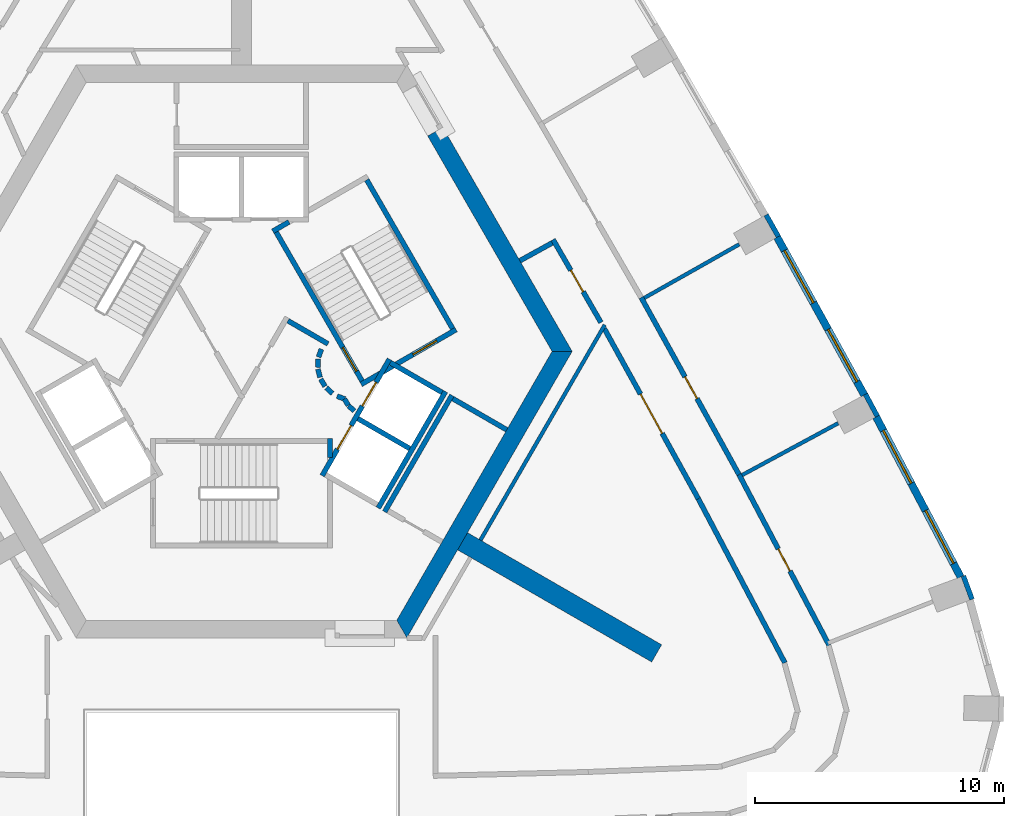
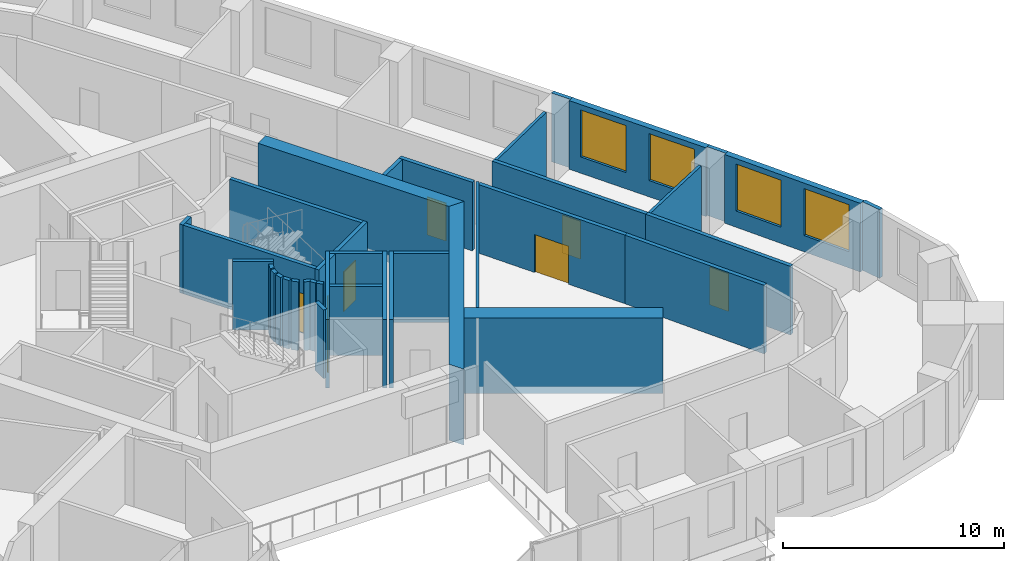
# One storey, part 7 of 11: 37 walls, 8 doors, 4 windows, 12 openings.
"""IFC4 building model written with IfcOpenShell, lengths in metres."""

from ifc_helpers import new_model, si_unit, direction, frame, frame_2d, origin, place, context, subcontext, project, spatial, polyline, rectangle, outline, extrude, material, layer, layer_set, type_object, element, fill, save


model = new_model("IFC4")

# Units and contexts
model_context = context("Model", 3, precision=1e-05, world=origin(), true_north=direction((0.0, 1.0)))
body_context = subcontext(model_context, "Body", "Model", "MODEL_VIEW")
ifc_project = project(units=[si_unit("LENGTHUNIT", "METRE"), si_unit("AREAUNIT", "SQUARE_METRE"), si_unit("VOLUMEUNIT", "CUBIC_METRE"), si_unit("PLANEANGLEUNIT", "RADIAN"), si_unit("MASSUNIT", "GRAM", prefix="KILO")], contexts=[model_context])

# Site, building, storey
site_placement = place(None, origin())
site = spatial("IfcSite", under=ifc_project, at=site_placement, CompositionType="ELEMENT")
building_placement = place(site_placement, origin())
building = spatial("IfcBuilding", under=site, at=building_placement, Name="Entoto Arch Interchange Tower", CompositionType="ELEMENT")
storey_placement = place(building_placement, frame((0.0, 0.0, 206.60009765625)))
storey = spatial("IfcBuildingStorey", under=building, at=storey_placement, Name="L46", CompositionType="ELEMENT", Elevation=206.60009765625)

# Walls
ifc_material_1 = material(Name="Concrete C50/60", Category="concrete")
ifc_layer_1 = layer(ifc_material_1, 0.800048828125)
ifc_layer_set_1 = layer_set([ifc_layer_1], Name="Concrete C50/60")
wall_type_1 = type_object("IfcWallType", Name="Buttress wall 800 C50/60", PredefinedType="SHEAR", material=ifc_layer_set_1)
wall_1_placement = place(storey_placement, frame((8.876953125, -5.125, -0.400146484375), z_axis=(0.0, 0.0, 1.0), x_axis=(0.866017533419, -0.500013631625, 0.0)))
element("IfcWall", 1, at=wall_1_placement, inside=storey, type_object=wall_type_1, Name="Buttress wall SE L46", PredefinedType="SHEAR", context=body_context, shape_type="SweptSolid", body=[
    extrude(rectangle(XDim=8.999755859375, YDim=0.800048828125, at=frame_2d((4.5, 0.0))), origin(), (0.0, 0.0, 1.0), 4.199951171875),
])
ifc_layer_2 = layer(ifc_material_1, 0.699951171875)
ifc_layer_set_2 = layer_set([ifc_layer_2], Name="Concrete C50/60")
wall_type_2 = type_object("IfcWallType", Name="Core wall 700 C50/60", PredefinedType="SHEAR", material=ifc_layer_set_2)
wall_2_placement = place(storey_placement, frame((0.0, 0.0, -0.400146484375)))
element("IfcWall", 2, at=wall_2_placement, inside=storey, type_object=wall_type_2, Name="Core wall NE L46", PredefinedType="SHEAR", context=body_context, shape_type="SweptSolid", body=[
    extrude(outline(polyline([(8.083984375, 11.498046875), (7.47802734375, 11.14794921875), (12.470947265625, 2.5), (13.279052734375, 2.5), (8.083984375, 11.498046875)])), origin(), (0.0, 0.0, 1.0), 4.199951171875),
])
wall_3_placement = place(storey_placement, frame((0.0, 0.0, -0.400146484375)))
element("IfcWall", 3, at=wall_3_placement, inside=storey, type_object=wall_type_2, Name="Core wall SE L46", PredefinedType="SHEAR", context=body_context, shape_type="SweptSolid", body=[
    extrude(outline(polyline([(6.639892578125, -9.0), (13.279052734375, 2.5), (12.470947265625, 2.5), (6.235107421875, -8.300048828125), (6.639892578125, -9.0)])), origin(), (0.0, 0.0, 1.0), 4.199951171875),
])

# Wall, openings, doors
ifc_material_2 = material(Name="Concrete C40/50", Category="concrete")
ifc_layer_3 = layer(ifc_material_2, 0.199951171875)
ifc_layer_set_3 = layer_set([ifc_layer_3], Name="Concrete C40/50")
wall_type_3 = type_object("IfcWallType", Name="LIFT SHAFT WALL 200", PredefinedType="STANDARD", material=ifc_layer_set_3)
wall_4_placement = place(storey_placement, frame((3.239990234375, -2.488037109375, 0.0), z_axis=(0.0, 0.0, 1.0), x_axis=(0.500034260056, 0.866005622828, 0.0)))
wall_4 = element("IfcWall", 4, at=wall_4_placement, inside=storey, type_object=wall_type_3, Name="Shaft wall SE1 front", PredefinedType="STANDARD", context=body_context, shape_type="SweptSolid", body=[
    extrude(rectangle(XDim=5.3994140625, YDim=0.199951171875, at=frame_2d((2.69970703125, 0.0))), origin(), (0.0, 0.0, 1.0), 3.7998046875),
])
opening_1_placement = place(wall_4_placement, frame((3.22509765625, 0.0, 0.0)))
opening_1 = element("IfcOpeningElement", 5, at=opening_1_placement, cuts=wall_4, Name="Opening LD-HR3-L46", PredefinedType="OPENING", context=body_context, shape_type="SweptSolid", body=[
    extrude(rectangle(XDim=1.10009765625, YDim=2.10009765625, at=frame_2d((0.550048828125, 1.050048828125))), frame((0.0, 0.10986328125, 0.0), z_axis=(0.0, -1.0, 0.0), x_axis=(1.0, 0.0, 0.0)), (0.0, 0.0, 1.0), 0.219970703125),
])
opening_2_placement = place(wall_4_placement, frame((1.22509765625, 0.0, 0.0)))
opening_2 = element("IfcOpeningElement", 6, at=opening_2_placement, cuts=wall_4, Name="Opening LD-FF1-L46", PredefinedType="OPENING", context=body_context, shape_type="SweptSolid", body=[
    extrude(rectangle(XDim=1.10009765625, YDim=2.10009765625, at=frame_2d((0.550048828125, 1.050048828125))), frame((0.0, 0.10986328125, 0.0), z_axis=(0.0, -1.0, 0.0), x_axis=(1.0, 0.0, 0.0)), (0.0, 0.0, 1.0), 0.219970703125),
])
ifc_material_3 = material(Name="Stainless steel 1.4301 panels", Category="steel")
door_type_1 = type_object("IfcDoorType", Name="LIFT LANDING DOOR LD1 1100x2100", OperationType="SLIDING_TO_LEFT", PredefinedType="DOOR", material=ifc_material_3)
door_1_placement = place(opening_1_placement, origin())
door_1 = element("IfcDoor", 7, at=door_1_placement, inside=storey, type_object=door_type_1, Name="Lift landing door HR3 L46", OperationType="SLIDING_TO_LEFT", OverallHeight=2.10009765625, OverallWidth=1.10009765625, PredefinedType="DOOR", context=body_context, shape_type="SweptSolid", body=[
    extrude(rectangle(XDim=1.10009765625, YDim=2.10009765625, at=frame_2d((0.550048828125, 1.050048828125))), frame((0.0, 0.02490234375, 0.0), z_axis=(0.0, -1.0, 0.0), x_axis=(1.0, 0.0, 0.0)), (0.0, 0.0, 1.0), 0.050048828125),
])
fill(opening_1, door_1)
door_2_placement = place(opening_2_placement, origin())
door_2 = element("IfcDoor", 8, at=door_2_placement, inside=storey, type_object=door_type_1, Name="Lift landing door FF1 L46", OperationType="SLIDING_TO_LEFT", OverallHeight=2.10009765625, OverallWidth=1.10009765625, PredefinedType="DOOR", context=body_context, shape_type="SweptSolid", body=[
    extrude(rectangle(XDim=1.10009765625, YDim=2.10009765625, at=frame_2d((0.550048828125, 1.050048828125))), frame((0.0, 0.02490234375, 0.0), z_axis=(0.0, -1.0, 0.0), x_axis=(1.0, 0.0, 0.0)), (0.0, 0.0, 1.0), 0.050048828125),
])
fill(opening_2, door_2)

# Walls
wall_5_placement = place(storey_placement, frame((5.491943359375, -3.7880859375, 0.0), z_axis=(0.0, 0.0, 1.0), x_axis=(0.500034260056, 0.866005622828, 0.0)))
element("IfcWall", 9, at=wall_5_placement, inside=storey, type_object=wall_type_3, Name="Shaft wall SE1 back", PredefinedType="STANDARD", context=body_context, shape_type="SweptSolid", body=[
    extrude(rectangle(XDim=5.3994140625, YDim=0.199951171875, at=frame_2d((2.69970703125, 0.0))), origin(), (0.0, 0.0, 1.0), 3.7998046875),
])
for number, where, z_axis, x_axis, name in (
    (10, (4.677001953125, -0.199951171875, 0.0), (0.0, 0.0, 1.0), (0.865973769406, -0.500089422704, 0.0), "Shaft wall SE1 cross 2"),
    (11, (5.97705078125, 2.052001953125, 0.0), (0.0, 0.0, 1.0), (0.865973769406, -0.500089422704, 0.0), "Shaft wall SE1 cross 3"),
):
    element("IfcWall", number, at=place(storey_placement, frame(where, z_axis=z_axis, x_axis=x_axis)), inside=storey, type_object=wall_type_3, Name=name, PredefinedType="STANDARD", context=body_context, shape_type="SweptSolid", body=[
        extrude(rectangle(XDim=2.3994140625, YDim=0.199951171875, at=frame_2d((1.19970703125, 0.0))), origin(), (0.0, 0.0, 1.0), 3.7998046875),
    ])
ifc_material_4 = material(Name="Gypsum board partition on steel studs", Category="steel")
ifc_layer_4 = layer(ifc_material_4, 0.14990234375)
ifc_layer_set_4 = layer_set([ifc_layer_4], Name="Gypsum board partition on steel studs")
wall_type_4 = type_object("IfcWallType", Name="PARTITION 150", PredefinedType="PARTITIONING", material=ifc_layer_set_4)
wall_6_placement = place(storey_placement, frame((20.10302734375, -2.466064453125, 0.0), z_axis=(0.0, 0.0, 1.0), x_axis=(0.879965969606, 0.475036727354, 0.0)))
element("IfcWall", 12, at=wall_6_placement, inside=storey, type_object=wall_type_4, Name="wall:L46:p112", PredefinedType="PARTITIONING", context=body_context, shape_type="SweptSolid", body=[
    extrude(rectangle(XDim=4.380859375, YDim=0.14990234375, at=frame_2d((2.1904296875, 0.0))), origin(), (0.0, 0.0, 1.0), 3.7998046875),
])
wall_7_placement = place(storey_placement, frame((16.174072265625, 4.64599609375, 0.0), z_axis=(0.0, 0.0, 1.0), x_axis=(0.870725770229, 0.491768881752, 0.0)))
element("IfcWall", 13, at=wall_7_placement, inside=storey, type_object=wall_type_4, Name="wall:L46:p113", PredefinedType="PARTITIONING", context=body_context, shape_type="SweptSolid", body=[
    extrude(rectangle(XDim=4.380126953125, YDim=0.14990234375, at=frame_2d((2.18994140625, 0.0))), origin(), (0.0, 0.0, 1.0), 3.7998046875),
])
wall_8_placement = place(storey_placement, frame((9.596923828125, -5.0791015625, 0.0), z_axis=(0.0, 0.0, 1.0), x_axis=(0.499962477963, 0.866047066059, 0.0)))
element("IfcWall", 14, at=wall_8_placement, inside=storey, type_object=wall_type_4, Name="wall:L46:p078", PredefinedType="PARTITIONING", context=body_context, shape_type="SweptSolid", body=[
    extrude(rectangle(XDim=9.978759765625, YDim=0.14990234375, at=frame_2d((4.9892578125, 0.0))), origin(), (0.0, 0.0, 1.0), 3.7998046875),
])

# Wall, opening, door
ifc_layer_5 = layer(ifc_material_4, 0.199951171875)
ifc_layer_set_5 = layer_set([ifc_layer_5], Name="Gypsum board partition on steel studs")
wall_type_5 = type_object("IfcWallType", Name="PARTITION 200", PredefinedType="PARTITIONING", material=ifc_layer_set_5)
wall_9_placement = place(storey_placement, frame((14.43310546875, 3.6630859375, 0.0), z_axis=(0.0, 0.0, 1.0), x_axis=(-0.500149526678, 0.865939057303, 0.0)))
wall_9 = element("IfcWall", 15, at=wall_9_placement, inside=storey, type_object=wall_type_5, Name="wall:L46:p003", PredefinedType="PARTITIONING", context=body_context, shape_type="SweptSolid", body=[
    extrude(rectangle(XDim=3.843017578125, YDim=0.199951171875, at=frame_2d((1.92138671875, 0.0))), origin(), (0.0, 0.0, 1.0), 3.7998046875),
])
opening_3_placement = place(wall_9_placement, frame((1.422119140625, 0.0, 0.0)))
opening_3 = element("IfcOpeningElement", 16, at=opening_3_placement, cuts=wall_9, Name="Opening L46-D26", PredefinedType="OPENING", context=body_context, shape_type="SweptSolid", body=[
    extrude(rectangle(XDim=1.0, YDim=2.10009765625, at=frame_2d((0.5, 1.050048828125))), frame((0.0, 0.10986328125, 0.0), z_axis=(0.0, -1.0, 0.0), x_axis=(1.0, 0.0, 0.0)), (0.0, 0.0, 1.0), 0.219970703125),
])
ifc_material_5 = material(Name="Timber door leaf in Steel S235 frame", Category="steel")
door_type_2 = type_object("IfcDoorType", Name="DOOR DS-10 1000x2100", OperationType="SINGLE_SWING_LEFT", PredefinedType="DOOR", material=ifc_material_5)
door_3_placement = place(opening_3_placement, origin())
door_3 = element("IfcDoor", 17, at=door_3_placement, inside=storey, type_object=door_type_2, Name="door:L46:26", OperationType="SINGLE_SWING_RIGHT", OverallHeight=2.10009765625, OverallWidth=1.0, PredefinedType="DOOR", context=body_context, shape_type="SweptSolid", body=[
    extrude(rectangle(XDim=1.0, YDim=2.10009765625, at=frame_2d((0.5, 1.050048828125))), frame((0.0, 0.02490234375, 0.0), z_axis=(0.0, -1.0, 0.0), x_axis=(1.0, 0.0, 0.0)), (0.0, 0.0, 1.0), 0.050048828125),
])
fill(opening_3, door_3)

# Walls
wall_10_placement = place(storey_placement, frame((12.47412109375, 6.85595703125, 0.0), z_axis=(0.0, 0.0, 1.0), x_axis=(-0.875305814696, -0.483569778584, 0.0)))
element("IfcWall", 18, at=wall_10_placement, inside=storey, type_object=wall_type_5, Name="wall:L46:p004", PredefinedType="PARTITIONING", context=body_context, shape_type="SweptSolid", body=[
    extrude(rectangle(XDim=1.480712890625, YDim=0.199951171875, at=frame_2d((0.740234375, 0.0))), origin(), (0.0, 0.0, 1.0), 3.7998046875),
])
wall_11_placement = place(storey_placement, frame((21.821044921875, -10.0048828125, 0.0), z_axis=(0.0, 0.0, 1.0), x_axis=(-0.466770012358, 0.884378739887, 0.0)))
element("IfcWall", 19, at=wall_11_placement, inside=storey, type_object=wall_type_5, Name="wall:L46:p021", PredefinedType="PARTITIONING", context=body_context, shape_type="SweptSolid", body=[
    extrude(rectangle(XDim=7.44921875, YDim=0.199951171875, at=frame_2d((3.724609375, 0.0))), origin(), (0.0, 0.0, 1.0), 3.7998046875),
])

# Wall, opening, door
wall_12_placement = place(storey_placement, frame((18.343994140625, -3.4169921875, 0.0), z_axis=(0.0, 0.0, 1.0), x_axis=(-0.483555501116, 0.875313702247, 0.0)))
wall_12 = element("IfcWall", 20, at=wall_12_placement, inside=storey, type_object=wall_type_5, Name="wall:L46:p022", PredefinedType="PARTITIONING", context=body_context, shape_type="SweptSolid", body=[
    extrude(rectangle(XDim=7.800537109375, YDim=0.199951171875, at=frame_2d((3.900390625, 0.0))), origin(), (0.0, 0.0, 1.0), 3.7998046875),
])
opening_4_placement = place(wall_12_placement, frame((3.0, 0.0, 0.0)))
opening_4 = element("IfcOpeningElement", 21, at=opening_4_placement, cuts=wall_12, Name="Opening L46-D16", PredefinedType="OPENING", context=body_context, shape_type="SweptSolid", body=[
    extrude(rectangle(XDim=1.800048828125, YDim=2.10009765625, at=frame_2d((0.89990234375, 1.050048828125))), frame((0.0, 0.10986328125, 0.0), z_axis=(0.0, -1.0, 0.0), x_axis=(1.0, 0.0, 0.0)), (0.0, 0.0, 1.0), 0.219970703125),
])
door_type_3 = type_object("IfcDoorType", Name="DOOR DD-18 1800x2100", OperationType="DOUBLE_DOOR_SINGLE_SWING", PredefinedType="DOOR", material=ifc_material_5)
door_4_placement = place(opening_4_placement, origin())
door_4 = element("IfcDoor", 22, at=door_4_placement, inside=storey, type_object=door_type_3, Name="door:L46:16", OperationType="DOUBLE_DOOR_SINGLE_SWING", OverallHeight=2.10009765625, OverallWidth=1.800048828125, PredefinedType="DOOR", context=body_context, shape_type="SweptSolid", body=[
    extrude(rectangle(XDim=1.800048828125, YDim=2.10009765625, at=frame_2d((0.89990234375, 1.050048828125))), frame((0.0, 0.02490234375, 0.0), z_axis=(0.0, -1.0, 0.0), x_axis=(1.0, 0.0, 0.0)), (0.0, 0.0, 1.0), 0.050048828125),
])
fill(opening_4, door_4)

wall_13_placement = place(storey_placement, frame((19.97998046875, -2.447998046875, 0.0), z_axis=(0.0, 0.0, 1.0), x_axis=(0.466864023915, -0.884329114738, 0.0)))
wall_13 = element("IfcWall", 23, at=wall_13_placement, inside=storey, type_object=wall_type_5, Name="wall:L46:p043", PredefinedType="PARTITIONING", context=body_context, shape_type="SweptSolid", body=[
    extrude(rectangle(XDim=7.74951171875, YDim=0.199951171875, at=frame_2d((3.874755859375, 0.0))), origin(), (0.0, 0.0, 1.0), 3.7998046875),
])
opening_5_placement = place(wall_13_placement, frame((3.375, 0.0, 0.0)))
opening_5 = element("IfcOpeningElement", 24, at=opening_5_placement, cuts=wall_13, Name="Opening L46-D04", PredefinedType="OPENING", context=body_context, shape_type="SweptSolid", body=[
    extrude(rectangle(XDim=1.0, YDim=2.10009765625, at=frame_2d((0.5, 1.050048828125))), frame((0.0, 0.10986328125, 0.0), z_axis=(0.0, -1.0, 0.0), x_axis=(1.0, 0.0, 0.0)), (0.0, 0.0, 1.0), 0.219970703125),
])
door_5_placement = place(opening_5_placement, origin())
door_5 = element("IfcDoor", 25, at=door_5_placement, inside=storey, type_object=door_type_2, Name="door:L46:04", OperationType="SINGLE_SWING_LEFT", OverallHeight=2.10009765625, OverallWidth=1.0, PredefinedType="DOOR", context=body_context, shape_type="SweptSolid", body=[
    extrude(rectangle(XDim=1.0, YDim=2.10009765625, at=frame_2d((0.5, 1.050048828125))), frame((0.0, 0.02490234375, 0.0), z_axis=(0.0, -1.0, 0.0), x_axis=(1.0, 0.0, 0.0)), (0.0, 0.0, 1.0), 0.050048828125),
])
fill(opening_5, door_5)

wall_14_placement = place(storey_placement, frame((16.051025390625, 4.6630859375, 0.0), z_axis=(0.0, 0.0, 1.0), x_axis=(0.483513440344, -0.875336936846, 0.0)))
wall_14 = element("IfcWall", 26, at=wall_14_placement, inside=storey, type_object=wall_type_5, Name="wall:L46:p044", PredefinedType="PARTITIONING", context=body_context, shape_type="SweptSolid", body=[
    extrude(rectangle(XDim=8.123779296875, YDim=0.199951171875, at=frame_2d((4.06201171875, 0.0))), origin(), (0.0, 0.0, 1.0), 3.7998046875),
])
opening_6_placement = place(wall_14_placement, frame((3.636962890625, 0.0, 0.0)))
opening_6 = element("IfcOpeningElement", 27, at=opening_6_placement, cuts=wall_14, Name="Opening L46-D05", PredefinedType="OPENING", context=body_context, shape_type="SweptSolid", body=[
    extrude(rectangle(XDim=1.0, YDim=2.10009765625, at=frame_2d((0.5, 1.050048828125))), frame((0.0, 0.10986328125, 0.0), z_axis=(0.0, -1.0, 0.0), x_axis=(1.0, 0.0, 0.0)), (0.0, 0.0, 1.0), 0.219970703125),
])
door_6_placement = place(opening_6_placement, origin())
door_6 = element("IfcDoor", 28, at=door_6_placement, inside=storey, type_object=door_type_2, Name="door:L46:05", OperationType="SINGLE_SWING_RIGHT", OverallHeight=2.10009765625, OverallWidth=1.0, PredefinedType="DOOR", context=body_context, shape_type="SweptSolid", body=[
    extrude(rectangle(XDim=1.0, YDim=2.10009765625, at=frame_2d((0.5, 1.050048828125))), frame((0.0, 0.02490234375, 0.0), z_axis=(0.0, -1.0, 0.0), x_axis=(1.0, 0.0, 0.0)), (0.0, 0.0, 1.0), 0.050048828125),
])
fill(opening_6, door_6)

# Walls
wall_15_placement = place(storey_placement, frame((5.7509765625, -3.93798828125, 0.0), z_axis=(0.0, 0.0, 1.0), x_axis=(0.500034260056, 0.866005622828, 0.0)))
element("IfcWall", 29, at=wall_15_placement, inside=storey, type_object=wall_type_5, Name="wall:L46:p070", PredefinedType="PARTITIONING", context=body_context, shape_type="SweptSolid", body=[
    extrude(rectangle(XDim=5.3994140625, YDim=0.199951171875, at=frame_2d((2.69970703125, 0.0))), origin(), (0.0, 0.0, 1.0), 3.7998046875),
])
wall_16_placement = place(storey_placement, frame((8.488037109375, 0.60205078125, 0.0), z_axis=(0.0, 0.0, 1.0), x_axis=(0.866022959057, -0.500004234368, 0.0)))
element("IfcWall", 30, at=wall_16_placement, inside=storey, type_object=wall_type_5, Name="wall:L46:p071", PredefinedType="PARTITIONING", context=body_context, shape_type="SweptSolid", body=[
    extrude(rectangle(XDim=2.5, YDim=0.199951171875, at=frame_2d((1.25, 0.0))), origin(), (0.0, 0.0, 1.0), 3.7998046875),
])
wall_17_placement = place(storey_placement, frame((1.865966796875, 3.73193359375, 0.0), z_axis=(0.0, 0.0, 1.0), x_axis=(0.866043361281, -0.499968895414, 0.0)))
element("IfcWall", 31, at=wall_17_placement, inside=storey, type_object=wall_type_5, Name="wall:L46:p081", PredefinedType="PARTITIONING", context=body_context, shape_type="SweptSolid", body=[
    extrude(rectangle(XDim=1.85791015625, YDim=0.199951171875, at=frame_2d((0.928955078125, 0.0))), origin(), (0.0, 0.0, 1.0), 3.7998046875),
])
wall_18_placement = place(storey_placement, frame((3.2080078125, 2.592041015625, 0.0), z_axis=(0.0, 0.0, 1.0), x_axis=(-0.337388820924, -0.941365382578, 0.0)))
element("IfcWall", 32, at=wall_18_placement, inside=storey, type_object=wall_type_5, Name="wall:L46:p082", PredefinedType="PARTITIONING", context=body_context, shape_type="SweptSolid", body=[
    extrude(rectangle(XDim=0.337890625, YDim=0.199951171875, at=frame_2d((0.1689453125, 0.0))), origin(), (0.0, 0.0, 1.0), 3.7998046875),
])
wall_19_placement = place(storey_placement, frame((3.0791015625, 2.198974609375, 0.0), z_axis=(0.0, 0.0, 1.0), x_axis=(-0.047771483479, -0.998858290933, 0.0)))
element("IfcWall", 33, at=wall_19_placement, inside=storey, type_object=wall_type_5, Name="wall:L46:p083", PredefinedType="PARTITIONING", context=body_context, shape_type="SweptSolid", body=[
    extrude(rectangle(XDim=0.33740234375, YDim=0.199951171875, at=frame_2d((0.168701171875, 0.0))), origin(), (0.0, 0.0, 1.0), 3.7998046875),
])
wall_20_placement = place(storey_placement, frame((3.070068359375, 1.785888671875, 0.0), z_axis=(0.0, 0.0, 1.0), x_axis=(0.242705583207, -0.970099994784, 0.0)))
element("IfcWall", 34, at=wall_20_placement, inside=storey, type_object=wall_type_5, Name="wall:L46:p084", PredefinedType="PARTITIONING", context=body_context, shape_type="SweptSolid", body=[
    extrude(rectangle(XDim=0.337890625, YDim=0.199951171875, at=frame_2d((0.1689453125, 0.0))), origin(), (0.0, 0.0, 1.0), 3.7998046875),
])
for number, where, z_axis, x_axis, name in (
    (35, (3.181884765625, 1.387939453125, 0.0), (0.0, 0.0, 1.0), (0.512474702713, -0.85870232274, 0.0), "wall:L46:p085"),
    (36, (3.404052734375, 1.0390625, 0.0), (0.0, 0.0, 1.0), (0.740267097712, -0.672312891476, 0.0), "wall:L46:p086"),
):
    element("IfcWall", number, at=place(storey_placement, frame(where, z_axis=z_axis, x_axis=x_axis)), inside=storey, type_object=wall_type_5, Name=name, PredefinedType="PARTITIONING", context=body_context, shape_type="SweptSolid", body=[
        extrude(rectangle(XDim=0.337646484375, YDim=0.199951171875, at=frame_2d((0.1689453125, 0.0))), origin(), (0.0, 0.0, 1.0), 3.7998046875),
    ])
wall_21_placement = place(storey_placement, frame((3.837890625, 0.701904296875, 0.0), z_axis=(0.0, 0.0, 1.0), x_axis=(0.941035081519, -0.338308993895, 0.0)))
element("IfcWall", 37, at=wall_21_placement, inside=storey, type_object=wall_type_5, Name="wall:L46:p087", PredefinedType="PARTITIONING", context=body_context, shape_type="SweptSolid", body=[
    extrude(rectangle(XDim=0.3369140625, YDim=0.199951171875, at=frame_2d((0.16845703125, 0.0))), origin(), (0.0, 0.0, 1.0), 3.7998046875),
])
wall_22_placement = place(storey_placement, frame((4.132080078125, 0.593017578125, 0.0), z_axis=(0.0, 0.0, 1.0), x_axis=(0.513561617048, -0.858052717201, 0.0)))
element("IfcWall", 38, at=wall_22_placement, inside=storey, type_object=wall_type_5, Name="wall:L46:p088", PredefinedType="PARTITIONING", context=body_context, shape_type="SweptSolid", body=[
    extrude(rectangle(XDim=0.3076171875, YDim=0.199951171875, at=frame_2d((0.15380859375, 0.0))), origin(), (0.0, 0.0, 1.0), 3.7998046875),
])
wall_23_placement = place(storey_placement, frame((4.301025390625, 0.31494140625, 0.0), z_axis=(0.0, 0.0, 1.0), x_axis=(0.741798017506, -0.670623367639, 0.0)))
element("IfcWall", 39, at=wall_23_placement, inside=storey, type_object=wall_type_5, Name="wall:L46:p089", PredefinedType="PARTITIONING", context=body_context, shape_type="SweptSolid", body=[
    extrude(rectangle(XDim=0.30859375, YDim=0.199951171875, at=frame_2d((0.154296875, 0.0))), origin(), (0.0, 0.0, 1.0), 3.7998046875),
])
ifc_layer_6 = layer(ifc_material_2, 0.199951171875)
ifc_layer_set_6 = layer_set([ifc_layer_6], Name="Concrete C40/50")
wall_type_6 = type_object("IfcWallType", Name="STAIR ENCLOSURE WALL 200", PredefinedType="STANDARD", material=ifc_layer_set_6)
wall_24_placement = place(storey_placement, frame((3.550048828125, -1.0, 0.0), z_axis=(0.0, 0.0, 1.0), x_axis=(0.0, -1.0, 0.0)))
element("IfcWall", 40, at=wall_24_placement, inside=storey, type_object=wall_type_6, Name="Stair wall ST-S far return", PredefinedType="STANDARD", context=body_context, shape_type="SweptSolid", body=[
    extrude(rectangle(XDim=0.7509765625, YDim=0.199951171875, at=frame_2d((0.37548828125, 0.0))), origin(), (0.0, 0.0, 1.0), 3.7998046875),
])

# Wall, opening, door
wall_25_placement = place(storey_placement, frame((4.805908203125, 1.176025390625, 0.0), z_axis=(0.0, 0.0, 1.0), x_axis=(0.866059941101, 0.499940174841, 0.0)))
wall_25 = element("IfcWall", 41, at=wall_25_placement, inside=storey, type_object=wall_type_6, Name="Stair wall ST-NE near", PredefinedType="STANDARD", context=body_context, shape_type="SweptSolid", body=[
    extrude(rectangle(XDim=4.400390625, YDim=0.199951171875, at=frame_2d((2.2001953125, 0.0))), origin(), (0.0, 0.0, 1.0), 3.7998046875),
])
opening_7_placement = place(wall_25_placement, frame((2.39990234375, 0.0, 0.0)))
opening_7 = element("IfcOpeningElement", 42, at=opening_7_placement, cuts=wall_25, Name="Opening SD-ST-NE-L46-E", PredefinedType="OPENING", context=body_context, shape_type="SweptSolid", body=[
    extrude(rectangle(XDim=1.10009765625, YDim=2.199951171875, at=frame_2d((0.550048828125, 1.10009765625))), frame((0.0, 0.10986328125, 0.0), z_axis=(0.0, -1.0, 0.0), x_axis=(1.0, 0.0, 0.0)), (0.0, 0.0, 1.0), 0.219970703125),
])
ifc_material_6 = material(Name="Steel S235", Category="steel")
door_type_4 = type_object("IfcDoorType", Name="STAIR DOOR SD1 1100x2200", OperationType="SINGLE_SWING_LEFT", PredefinedType="DOOR", material=ifc_material_6)
door_7_placement = place(opening_7_placement, origin())
door_7 = element("IfcDoor", 43, at=door_7_placement, inside=storey, type_object=door_type_4, Name="Stair door ST-NE L46 end", OperationType="SINGLE_SWING_LEFT", OverallHeight=2.199951171875, OverallWidth=1.10009765625, PredefinedType="DOOR", context=body_context, shape_type="SweptSolid", body=[
    extrude(rectangle(XDim=1.10009765625, YDim=2.199951171875, at=frame_2d((0.550048828125, 1.10009765625))), frame((0.0, 0.02490234375, 0.0), z_axis=(0.0, -1.0, 0.0), x_axis=(1.0, 0.0, 0.0)), (0.0, 0.0, 1.0), 0.050048828125),
])
fill(opening_7, door_7)

# Wall
wall_26_placement = place(storey_placement, frame((1.256103515625, 7.323974609375, 0.0), z_axis=(0.0, 0.0, 1.0), x_axis=(0.865915093549, 0.500191014278, 0.0)))
element("IfcWall", 44, at=wall_26_placement, inside=storey, type_object=wall_type_6, Name="Stair wall ST-NE far return", PredefinedType="STANDARD", context=body_context, shape_type="SweptSolid", body=[
    extrude(rectangle(XDim=0.751708984375, YDim=0.199951171875, at=frame_2d((0.3759765625, 0.0))), origin(), (0.0, 0.0, 1.0), 3.7998046875),
])

# Wall, opening, door
wall_27_placement = place(storey_placement, frame((4.843017578125, 1.31201171875, 0.0), z_axis=(0.0, 0.0, 1.0), x_axis=(-0.499963383562, 0.866046543262, 0.0)))
wall_27 = element("IfcWall", 45, at=wall_27_placement, inside=storey, type_object=wall_type_6, Name="Stair wall ST-NE hall", PredefinedType="STANDARD", context=body_context, shape_type="SweptSolid", body=[
    extrude(rectangle(XDim=6.900390625, YDim=0.199951171875, at=frame_2d((3.4501953125, 0.0))), origin(), (0.0, 0.0, 1.0), 3.7998046875),
])
opening_8_placement = place(wall_27_placement, frame((0.449951171875, 0.0, 0.0)))
opening_8 = element("IfcOpeningElement", 46, at=opening_8_placement, cuts=wall_27, Name="Opening SD-ST-NE-L46", PredefinedType="OPENING", context=body_context, shape_type="SweptSolid", body=[
    extrude(rectangle(XDim=1.10009765625, YDim=2.199951171875, at=frame_2d((0.550048828125, 1.10009765625))), frame((0.0, 0.10986328125, 0.0), z_axis=(0.0, -1.0, 0.0), x_axis=(1.0, 0.0, 0.0)), (0.0, 0.0, 1.0), 0.219970703125),
])
door_8_placement = place(opening_8_placement, origin())
door_8 = element("IfcDoor", 47, at=door_8_placement, inside=storey, type_object=door_type_4, Name="Stair door ST-NE L46", OperationType="SINGLE_SWING_LEFT", OverallHeight=2.199951171875, OverallWidth=1.10009765625, PredefinedType="DOOR", context=body_context, shape_type="SweptSolid", body=[
    extrude(rectangle(XDim=1.10009765625, YDim=2.199951171875, at=frame_2d((0.550048828125, 1.10009765625))), frame((0.0, 0.02490234375, 0.0), z_axis=(0.0, -1.0, 0.0), x_axis=(1.0, 0.0, 0.0)), (0.0, 0.0, 1.0), 0.050048828125),
])
fill(opening_8, door_8)

# Wall
wall_28_placement = place(storey_placement, frame((8.47998046875, 3.412109375, 0.0), z_axis=(0.0, 0.0, 1.0), x_axis=(-0.499978703459, 0.866037698999, 0.0)))
element("IfcWall", 48, at=wall_28_placement, inside=storey, type_object=wall_type_6, Name="Stair wall ST-NE back", PredefinedType="STANDARD", context=body_context, shape_type="SweptSolid", body=[
    extrude(rectangle(XDim=6.900146484375, YDim=0.199951171875, at=frame_2d((3.4501953125, 0.0))), origin(), (0.0, 0.0, 1.0), 3.7998046875),
])

# Wall, openings, windows
ifc_material_7 = material(Name="Welded tuff (ignimbrite) cladding, warm buff", Category="masonry")
ifc_layer_7 = layer(ifc_material_7, 0.300048828125)
ifc_layer_set_7 = layer_set([ifc_layer_7], Name="Welded tuff (ignimbrite) cladding, warm buff")
wall_type_7 = type_object("IfcWallType", Name="STONE INFILL WALL 300", PredefinedType="STANDARD", material=ifc_layer_set_7)
wall_29_placement = place(storey_placement, frame((28.87890625, -6.55908203125, 0.0), z_axis=(0.0, 0.0, 1.0), x_axis=(-0.466789249342, 0.884368586449, 0.0)))
wall_29 = element("IfcWall", 49, at=wall_29_placement, inside=storey, type_object=wall_type_7, Name="Facade wall NE-01 L46", PredefinedType="STANDARD", context=body_context, shape_type="SweptSolid", body=[
    extrude(rectangle(XDim=7.273193359375, YDim=0.300048828125, at=frame_2d((3.63671875, 0.0))), origin(), (0.0, 0.0, 1.0), 3.7998046875),
])
opening_9_placement = place(wall_29_placement, frame((0.617919921875, 0.0, 0.89990234375)))
opening_9 = element("IfcOpeningElement", 50, at=opening_9_placement, cuts=wall_29, Name="Opening WO-A", PredefinedType="OPENING", context=body_context, shape_type="SweptSolid", body=[
    extrude(rectangle(XDim=2.39990234375, YDim=2.60009765625, at=frame_2d((1.199951171875, 1.300048828125))), frame((0.0, 0.16015625, 0.0), z_axis=(0.0, -1.0, 0.0), x_axis=(1.0, 0.0, 0.0)), (0.0, 0.0, 1.0), 0.320068359375),
])
opening_10_placement = place(wall_29_placement, frame((4.2548828125, 0.0, 0.89990234375)))
opening_10 = element("IfcOpeningElement", 51, at=opening_10_placement, cuts=wall_29, Name="Opening WO-A", PredefinedType="OPENING", context=body_context, shape_type="SweptSolid", body=[
    extrude(rectangle(XDim=2.39990234375, YDim=2.60009765625, at=frame_2d((1.199951171875, 1.300048828125))), frame((0.0, 0.16015625, 0.0), z_axis=(0.0, -1.0, 0.0), x_axis=(1.0, 0.0, 0.0)), (0.0, 0.0, 1.0), 0.320068359375),
])
ifc_material_8 = material(Name="Clear glass, low-e double glazed", Category="glass")
window_type = type_object("IfcWindowType", Name="WINDOW WO-A 2400x2600", PartitioningType="DOUBLE_PANEL_VERTICAL", PredefinedType="WINDOW", material=ifc_material_8)
window_1_placement = place(opening_9_placement, origin())
window_1 = element("IfcWindow", 52, at=window_1_placement, inside=storey, type_object=window_type, Name="Window WO-A NE-01 L46", OverallHeight=2.60009765625, OverallWidth=2.39990234375, PartitioningType="SINGLE_PANEL", PredefinedType="WINDOW", context=body_context, shape_type="SweptSolid", body=[
    extrude(rectangle(XDim=2.39990234375, YDim=2.60009765625, at=frame_2d((1.199951171875, 1.300048828125))), frame((0.0, 0.030029296875, 0.0), z_axis=(0.0, -1.0, 0.0), x_axis=(1.0, 0.0, 0.0)), (0.0, 0.0, 1.0), 0.06005859375),
])
fill(opening_9, window_1)
window_2_placement = place(opening_10_placement, origin())
window_2 = element("IfcWindow", 53, at=window_2_placement, inside=storey, type_object=window_type, Name="Window WO-A NE-01 L46", OverallHeight=2.60009765625, OverallWidth=2.39990234375, PartitioningType="SINGLE_PANEL", PredefinedType="WINDOW", context=body_context, shape_type="SweptSolid", body=[
    extrude(rectangle(XDim=2.39990234375, YDim=2.60009765625, at=frame_2d((1.199951171875, 1.300048828125))), frame((0.0, 0.030029296875, 0.0), z_axis=(0.0, -1.0, 0.0), x_axis=(1.0, 0.0, 0.0)), (0.0, 0.0, 1.0), 0.06005859375),
])
fill(opening_10, window_2)

wall_30_placement = place(storey_placement, frame((25.010009765625, 0.7509765625, 0.0), z_axis=(0.0, 0.0, 1.0), x_axis=(-0.483590905878, 0.875294142419, 0.0)))
wall_30 = element("IfcWall", 54, at=wall_30_placement, inside=storey, type_object=wall_type_7, Name="Facade wall NE-02 L46", PredefinedType="STANDARD", context=body_context, shape_type="SweptSolid", body=[
    extrude(rectangle(XDim=7.237548828125, YDim=0.300048828125, at=frame_2d((3.61865234375, 0.0))), origin(), (0.0, 0.0, 1.0), 3.7998046875),
])
opening_11_placement = place(wall_30_placement, frame((0.60888671875, 0.0, 0.89990234375)))
opening_11 = element("IfcOpeningElement", 55, at=opening_11_placement, cuts=wall_30, Name="Opening WO-A", PredefinedType="OPENING", context=body_context, shape_type="SweptSolid", body=[
    extrude(rectangle(XDim=2.39990234375, YDim=2.60009765625, at=frame_2d((1.199951171875, 1.300048828125))), frame((0.0, 0.16015625, 0.0), z_axis=(0.0, -1.0, 0.0), x_axis=(1.0, 0.0, 0.0)), (0.0, 0.0, 1.0), 0.320068359375),
])
opening_12_placement = place(wall_30_placement, frame((4.22802734375, 0.0, 0.89990234375)))
opening_12 = element("IfcOpeningElement", 56, at=opening_12_placement, cuts=wall_30, Name="Opening WO-A", PredefinedType="OPENING", context=body_context, shape_type="SweptSolid", body=[
    extrude(rectangle(XDim=2.39990234375, YDim=2.60009765625, at=frame_2d((1.199951171875, 1.300048828125))), frame((0.0, 0.16015625, 0.0), z_axis=(0.0, -1.0, 0.0), x_axis=(1.0, 0.0, 0.0)), (0.0, 0.0, 1.0), 0.320068359375),
])
window_3_placement = place(opening_11_placement, origin())
window_3 = element("IfcWindow", 57, at=window_3_placement, inside=storey, type_object=window_type, Name="Window WO-A NE-02 L46", OverallHeight=2.60009765625, OverallWidth=2.39990234375, PartitioningType="SINGLE_PANEL", PredefinedType="WINDOW", context=body_context, shape_type="SweptSolid", body=[
    extrude(rectangle(XDim=2.39990234375, YDim=2.60009765625, at=frame_2d((1.199951171875, 1.300048828125))), frame((0.0, 0.030029296875, 0.0), z_axis=(0.0, -1.0, 0.0), x_axis=(1.0, 0.0, 0.0)), (0.0, 0.0, 1.0), 0.06005859375),
])
fill(opening_11, window_3)
window_4_placement = place(opening_12_placement, origin())
window_4 = element("IfcWindow", 58, at=window_4_placement, inside=storey, type_object=window_type, Name="Window WO-A NE-02 L46", OverallHeight=2.60009765625, OverallWidth=2.39990234375, PartitioningType="SINGLE_PANEL", PredefinedType="WINDOW", context=body_context, shape_type="SweptSolid", body=[
    extrude(rectangle(XDim=2.39990234375, YDim=2.60009765625, at=frame_2d((1.199951171875, 1.300048828125))), frame((0.0, 0.030029296875, 0.0), z_axis=(0.0, -1.0, 0.0), x_axis=(1.0, 0.0, 0.0)), (0.0, 0.0, 1.0), 0.06005859375),
])
fill(opening_12, window_4)

# Walls
ifc_layer_8 = layer(ifc_material_7, 0.199951171875)
ifc_layer_set_8 = layer_set([ifc_layer_8], Name="Welded tuff (ignimbrite) cladding, warm buff")
wall_type_8 = type_object("IfcWallType", Name="STONE PIER CLADDING 200", PredefinedType="STANDARD", material=ifc_layer_set_8)
wall_31_placement = place(storey_placement, frame((29.3359375, -7.4560546875, 0.0), z_axis=(0.0, 0.0, 1.0), x_axis=(-0.346892928577, 0.937904737222, 0.0)))
element("IfcWall", 59, at=wall_31_placement, inside=storey, type_object=wall_type_8, Name="Stone pier NE01 L46", PredefinedType="STANDARD", context=body_context, shape_type="SweptSolid", body=[
    extrude(rectangle(XDim=1.0, YDim=0.199951171875, at=frame_2d((0.5, 0.0))), origin(), (0.0, 0.0, 1.0), 3.7998046875),
])
wall_32_placement = place(storey_placement, frame((25.531982421875, -0.10302734375, 0.0), z_axis=(0.0, 0.0, 1.0), x_axis=(-0.473663196434, 0.88070606694, 0.0)))
element("IfcWall", 60, at=wall_32_placement, inside=storey, type_object=wall_type_8, Name="Stone pier NE02 L46", PredefinedType="STANDARD", context=body_context, shape_type="SweptSolid", body=[
    extrude(rectangle(XDim=1.00048828125, YDim=0.199951171875, at=frame_2d((0.500244140625, 0.0))), origin(), (0.0, 0.0, 1.0), 3.7998046875),
])
wall_33_placement = place(storey_placement, frame((21.55810546875, 7.112060546875, 0.0), z_axis=(0.0, 0.0, 1.0), x_axis=(-0.492033129803, 0.870576475202, 0.0)))
element("IfcWall", 61, at=wall_33_placement, inside=storey, type_object=wall_type_8, Name="Stone pier NE03 L46", PredefinedType="STANDARD", context=body_context, shape_type="SweptSolid", body=[
    extrude(rectangle(XDim=1.000244140625, YDim=0.199951171875, at=frame_2d((0.5, 0.0))), origin(), (0.0, 0.0, 1.0), 3.7998046875),
])

save(model, "model.ifc")
